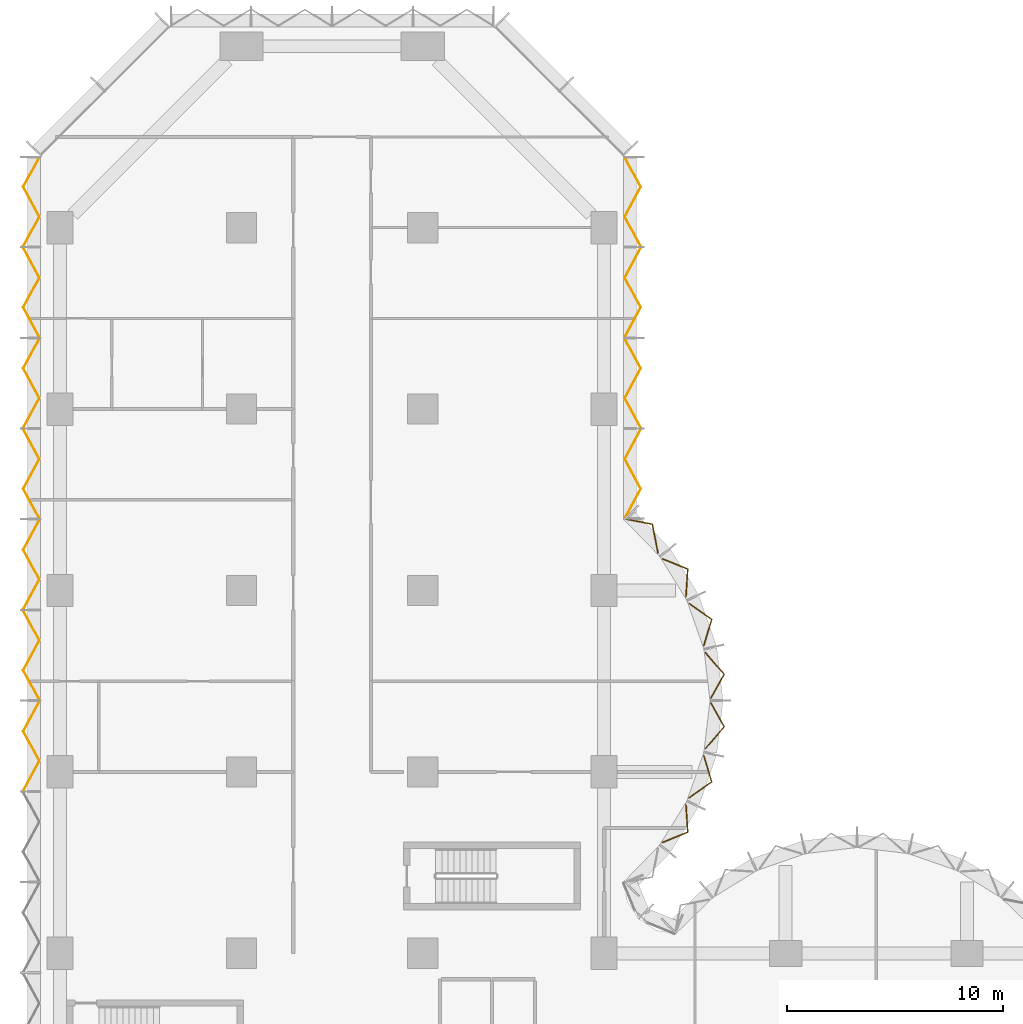
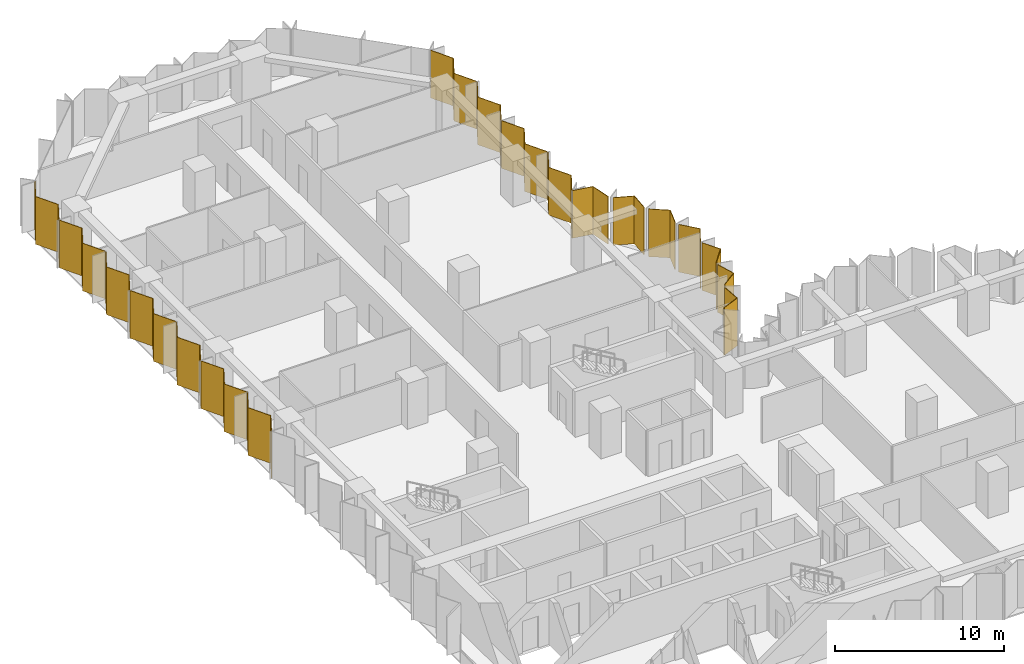
# One storey, part 15 of 15: 18 coverings, 3 elements without a shape of their own.
"""IFC4 building model written with IfcOpenShell, lengths in metres."""

import ifcopenshell
import ifcopenshell.guid

model = None  # the IFC model being written
_history = None  # IfcOwnerHistory: only IFC2X3 demands one
_inside = {}  # id of a spatial element -> (the spatial element, [elements in it])
_under = {}  # id of a project, library or spatial element -> (it, [spatial elements below it])
_declared = {}  # id of a project -> (the project, [libraries it declares])
_typed = {}  # id of a type object -> (the type object, [elements of that type])
_made_of = {}  # id of a material, layer set ... -> (it, [elements and type objects made of it])


def new_model(schema):
    """Start an empty IFC model of exactly this schema.

    Asked for "IFC4X3", IfcOpenShell would pick the latest addendum, in which some entities
    have other attributes; the version numbers below select the first issue.
    IFC2X3 requires an IfcOwnerHistory on every rooted entity: one is made here for all.
    """
    global model, _history
    if schema == "IFC4X3":
        model = ifcopenshell.file(schema_version=(4, 3, 0, 0))
    else:
        model = ifcopenshell.file(schema=schema)
    _inside.clear()
    _under.clear()
    _declared.clear()
    _typed.clear()
    _made_of.clear()
    _history = None
    if model.schema == "IFC2X3":
        org = make("IfcOrganization", Name="unknown")
        user = make(
            "IfcPersonAndOrganization",
            ThePerson=make("IfcPerson", FamilyName="unknown"),
            TheOrganization=org,
        )
        app = make(
            "IfcApplication",
            ApplicationDeveloper=org,
            Version="unknown",
            ApplicationFullName="unknown",
            ApplicationIdentifier="unknown",
        )
        _history = make(
            "IfcOwnerHistory",
            OwningUser=user,
            OwningApplication=app,
            ChangeAction="ADDED",
            CreationDate=0,
        )
    return model


def make(cls, **values):
    """One entity of the class cls with the attributes given. An attribute that is None is left unset."""
    return model.create_entity(
        cls, **{name: value for name, value in values.items() if value is not None}
    )


def rooted(cls, **values):
    """An entity with a GlobalId (a new one), such as an element, a storey or a relation."""
    return make(cls, GlobalId=ifcopenshell.guid.new(), OwnerHistory=_history, **values)


def si_unit(unit_type, name, prefix=None):
    """IfcSIUnit, for example si_unit("LENGTHUNIT", "METRE", prefix="MILLI")."""
    return make("IfcSIUnit", UnitType=unit_type, Prefix=prefix, Name=name)


def assignment(units):
    """IfcUnitAssignment: the units of a project."""
    return None if units is None else make("IfcUnitAssignment", Units=units)


def point(xyz):
    """IfcCartesianPoint."""
    return None if xyz is None else make("IfcCartesianPoint", Coordinates=xyz)


def direction(xyz):
    """IfcDirection."""
    return None if xyz is None else make("IfcDirection", DirectionRatios=xyz)


def frame(location, z_axis=None, x_axis=None):
    """IfcAxis2Placement3D, a coordinate frame: its origin and axes. An axis left out is left unset."""
    return make(
        "IfcAxis2Placement3D",
        Location=point(location),
        Axis=direction(z_axis),
        RefDirection=direction(x_axis),
    )


def origin():
    """The frame at (0, 0, 0) with its axes left unset."""
    return frame((0.0, 0.0, 0.0))


def place(relative_to, where):
    """IfcLocalPlacement: puts the frame where relative to a parent placement (None: the world)."""
    return make(
        "IfcLocalPlacement", PlacementRelTo=relative_to, RelativePlacement=where
    )


def context(
    kind, dimensions, precision=None, world=None, true_north=None, identifier=None
):
    """IfcGeometricRepresentationContext, for example the 3D "Model" context."""
    return make(
        "IfcGeometricRepresentationContext",
        ContextIdentifier=identifier,
        ContextType=kind,
        CoordinateSpaceDimension=dimensions,
        Precision=precision,
        WorldCoordinateSystem=world,
        TrueNorth=true_north,
    )


def subcontext(parent, identifier, kind, view, scale=None):
    """IfcGeometricRepresentationSubContext, for example "Body" below "Model"."""
    return make(
        "IfcGeometricRepresentationSubContext",
        ContextIdentifier=identifier,
        ContextType=kind,
        ParentContext=parent,
        TargetScale=scale,
        TargetView=view,
    )


def project(units=None, contexts=None):
    """IfcProject with its units and contexts."""
    return rooted(
        "IfcProject",
        Name="project",
        RepresentationContexts=contexts,
        UnitsInContext=assignment(units),
    )


def spatial(cls, under=None, at=None, **own):
    """A site, building, storey or space (cls), placed at a placement, below another one or the project."""
    s = rooted(cls, ObjectPlacement=at, **own)
    if under is not None:
        _under.setdefault(under.id(), (under, []))[1].append(s)
    return s


def polyline(points):
    """IfcPolyline through the points."""
    return make("IfcPolyline", Points=[point(p) for p in points])


def outline(outer, holes=None, kind="AREA"):
    """IfcArbitraryClosedProfileDef: a profile drawn as a closed curve; with holes, ...WithVoids."""
    if holes is None:
        return make("IfcArbitraryClosedProfileDef", ProfileType=kind, OuterCurve=outer)
    return make(
        "IfcArbitraryProfileDefWithVoids",
        ProfileType=kind,
        OuterCurve=outer,
        InnerCurves=holes,
    )


def extrude(swept, where, along, depth):
    """IfcExtrudedAreaSolid: the profile swept, set in the frame where, extruded along a direction by depth."""
    return make(
        "IfcExtrudedAreaSolid",
        SweptArea=swept,
        Position=where,
        ExtrudedDirection=direction(along),
        Depth=depth,
    )


def shape(context_of_items, identifier, shape_type, items):
    """IfcShapeRepresentation: the items that make up one representation, for example the "Body"."""
    return make(
        "IfcShapeRepresentation",
        ContextOfItems=context_of_items,
        RepresentationIdentifier=identifier,
        RepresentationType=shape_type,
        Items=items,
    )


def material(Name=None, Category=None):
    """IfcMaterial."""
    return make("IfcMaterial", Name=Name, Category=Category)


def layer(
    of_material, thickness, ventilated=None, Name=None, Category=None, Priority=None
):
    """IfcMaterialLayer: one layer of a wall or slab, of a material (None: an air gap)."""
    return make(
        "IfcMaterialLayer",
        Material=of_material,
        LayerThickness=thickness,
        IsVentilated=ventilated,
        Name=Name,
        Category=Category,
        Priority=Priority,
    )


def layer_set(layers, Name=None):
    """IfcMaterialLayerSet."""
    return make("IfcMaterialLayerSet", MaterialLayers=layers, LayerSetName=Name)


def made_of(thing, what):
    """Note that an element or type object is made of a material, layer set ...; save() writes the relation."""
    if what is not None:
        _made_of.setdefault(what.id(), (what, []))[1].append(thing)
    return thing


def type_object(cls, material=None, **own):
    """A type object (cls), such as IfcWallType, which elements share."""
    return made_of(rooted(cls, **own), material)


def element(
    cls,
    number,
    at=None,
    inside=None,
    cuts=None,
    type_object=None,
    material=None,
    context=None,
    identifier="Body",
    shape_type=None,
    held_by="IfcProductDefinitionShape",
    body=None,
    shapes=None,
    **own,
):
    """One element of the class cls, such as IfcWall. Its Tag is "e" and its number.

    at: its placement. inside: the storey or other place that contains it. cuts: it is an
    opening in that element (IfcRelVoidsElement). A single representation is given by context,
    identifier, shape_type and body (its items); several are given by shapes. held_by: the class
    of the entity that holds the representations. save() writes the other relations.
    """
    e = rooted(cls, Tag="e%d" % number, ObjectPlacement=at, **own)
    if body is not None:
        shapes = [shape(context, identifier, shape_type, body)]
    if shapes is not None:
        e.Representation = make(held_by, Representations=shapes)
    if inside is not None:
        _inside.setdefault(inside.id(), (inside, []))[1].append(e)
    if cuts is not None:
        rooted(
            "IfcRelVoidsElement", RelatingBuildingElement=cuts, RelatedOpeningElement=e
        )
    if type_object is not None:
        _typed.setdefault(type_object.id(), (type_object, []))[1].append(e)
    return made_of(e, material)


def aggregate(whole, parts):
    """IfcRelAggregates: a whole, such as a stair, and the parts it consists of."""
    return rooted("IfcRelAggregates", RelatingObject=whole, RelatedObjects=parts)


def save(model, path):
    """Write the relations noted so far, then the file.

    IfcRelAggregates (storeys below a building ...), IfcRelContainedInSpatialStructure (elements
    in a storey), IfcRelDefinesByType, IfcRelAssociatesMaterial and IfcRelDeclares: one each for
    every whole, place, type object, material and project.
    """
    for whole, parts in _under.values():
        aggregate(whole, parts)
    for where, things in _inside.values():
        rooted(
            "IfcRelContainedInSpatialStructure",
            RelatedElements=things,
            RelatingStructure=where,
        )
    for kind, things in _typed.values():
        rooted("IfcRelDefinesByType", RelatedObjects=things, RelatingType=kind)
    for what, things in _made_of.values():
        rooted("IfcRelAssociatesMaterial", RelatedObjects=things, RelatingMaterial=what)
    for by, libraries in _declared.values():
        rooted("IfcRelDeclares", RelatingContext=by, RelatedDefinitions=libraries)
    model.write(path)


model = new_model("IFC4")

# Units and contexts
model_context = context("Model", 3, precision=1e-05, world=origin(), true_north=direction((0.0, 1.0)))
body_context = subcontext(model_context, "Body", "Model", "MODEL_VIEW")
ifc_project = project(units=[si_unit("LENGTHUNIT", "METRE"), si_unit("AREAUNIT", "SQUARE_METRE"), si_unit("VOLUMEUNIT", "CUBIC_METRE"), si_unit("PLANEANGLEUNIT", "RADIAN"), si_unit("MASSUNIT", "GRAM", prefix="KILO")], contexts=[model_context])

# Site, building, storey
site_placement = place(None, origin())
site = spatial("IfcSite", under=ifc_project, at=site_placement, CompositionType="ELEMENT")
building_placement = place(site_placement, origin())
building = spatial("IfcBuilding", under=site, at=building_placement, Name="Brevane Broadcast Tower", CompositionType="ELEMENT")
storey_placement = place(building_placement, frame((0.0, 0.0, 83.300048828125)))
storey = spatial("IfcBuildingStorey", under=building, at=storey_placement, Name="L19", CompositionType="ELEMENT", Elevation=83.300048828125)

# Curtain wall, coverings
ifc_material_1 = material(Name="Aluminium 6063-T6 bronze anodised", Category="aluminium")
curtain_wall_type = type_object("IfcCurtainWallType", Name="CW-1 curtain wall", PredefinedType="NOTDEFINED", material=ifc_material_1)
curtain_wall_1_placement = place(storey_placement, origin())
curtain_wall_1 = element("IfcCurtainWall", 1, at=curtain_wall_1_placement, inside=storey, type_object=curtain_wall_type, Name="CW-1 typical tilted unit L19 north bow", PredefinedType="NOTDEFINED")
ifc_material_2 = material(Name="Back-painted bronze glass shadow-box", Category="glass")
ifc_layer = layer(ifc_material_2, 0.0400390625)
ifc_layer_set = layer_set([ifc_layer], Name="Shadow-box panel 40")
covering_type = type_object("IfcCoveringType", Name="Shadow-box panel 40", PredefinedType="CLADDING", material=ifc_layer_set)
covering_1_placement = place(storey_placement, frame((0.0, 0.0, -0.150146484375)))
covering_1 = element("IfcCovering", 2, at=covering_1_placement, type_object=covering_type, Name="Shadow-box panel", PredefinedType="CLADDING", context=body_context, shape_type="SweptSolid", body=[
    extrude(outline(polyline([(27.8759765625, 30.343017578125), (27.912109375, 30.314697265625), (29.089111328125, 30.7958984375), (29.006591796875, 32.08935546875), (28.96533203125, 32.10888671875), (29.04736328125, 30.822265625), (27.8759765625, 30.343017578125)])), origin(), (0.0, 0.0, 1.0), 3.4501953125),
])
covering_2_placement = place(storey_placement, frame((0.0, 0.0, -0.150146484375)))
covering_2 = element("IfcCovering", 3, at=covering_2_placement, type_object=covering_type, Name="Shadow-box panel", PredefinedType="CLADDING", context=body_context, shape_type="SweptSolid", body=[
    extrude(outline(polyline([(29.104248046875, 32.400634765625), (29.1455078125, 32.381103515625), (30.20166015625, 33.132080078125), (29.83349609375, 34.349365234375), (29.78857421875, 34.359619140625), (30.155029296875, 33.148193359375), (29.104248046875, 32.400634765625)])), origin(), (0.0, 0.0, 1.0), 3.4501953125),
])
covering_3_placement = place(storey_placement, frame((0.0, 0.0, -0.150146484375)))
covering_3 = element("IfcCovering", 4, at=covering_3_placement, type_object=covering_type, Name="Shadow-box panel", PredefinedType="CLADDING", context=body_context, shape_type="SweptSolid", body=[
    extrude(outline(polyline([(29.859619140625, 34.6748046875), (29.903564453125, 34.664794921875), (30.779296875, 35.68310546875), (30.15869140625, 36.7919921875), (30.11279296875, 36.7919921875), (30.730712890625, 35.68798828125), (29.859619140625, 34.6748046875)])), origin(), (0.0, 0.0, 1.0), 3.4501953125),
])
covering_4_placement = place(storey_placement, frame((0.0, 0.0, -0.150146484375)))
covering_4 = element("IfcCovering", 5, at=covering_4_placement, type_object=covering_type, Name="Shadow-box panel", PredefinedType="CLADDING", context=body_context, shape_type="SweptSolid", body=[
    extrude(outline(polyline([(30.11279296875, 37.008056640625), (30.15869140625, 37.008056640625), (30.779296875, 38.116943359375), (29.903564453125, 39.13525390625), (29.859619140625, 39.125), (30.730712890625, 38.112060546875), (30.11279296875, 37.008056640625)])), origin(), (0.0, 0.0, 1.0), 3.4501953125),
])
covering_5_placement = place(storey_placement, frame((0.0, 0.0, -0.150146484375)))
covering_5 = element("IfcCovering", 6, at=covering_5_placement, type_object=covering_type, Name="Shadow-box panel", PredefinedType="CLADDING", context=body_context, shape_type="SweptSolid", body=[
    extrude(outline(polyline([(29.78857421875, 39.440185546875), (29.83349609375, 39.45068359375), (30.20166015625, 40.667724609375), (29.1455078125, 41.4189453125), (29.104248046875, 41.3994140625), (30.155029296875, 40.65185546875), (29.78857421875, 39.440185546875)])), origin(), (0.0, 0.0, 1.0), 3.4501953125),
])
covering_6_placement = place(storey_placement, frame((0.0, 0.0, -0.150146484375)))
covering_6 = element("IfcCovering", 7, at=covering_6_placement, type_object=covering_type, Name="Shadow-box panel", PredefinedType="CLADDING", context=body_context, shape_type="SweptSolid", body=[
    extrude(outline(polyline([(28.96533203125, 41.69091796875), (29.006591796875, 41.710693359375), (29.089111328125, 43.00390625), (27.912109375, 43.4853515625), (27.8759765625, 43.45703125), (29.04736328125, 42.977783203125), (28.96533203125, 41.69091796875)])), origin(), (0.0, 0.0, 1.0), 3.4501953125),
])
covering_7_placement = place(storey_placement, frame((0.0, 0.0, -0.150146484375)))
covering_7 = element("IfcCovering", 8, at=covering_7_placement, type_object=covering_type, Name="Shadow-box panel", PredefinedType="CLADDING", context=body_context, shape_type="SweptSolid", body=[
    extrude(outline(polyline([(27.67626953125, 43.7109375), (27.71142578125, 43.738525390625), (27.447265625, 45.086181640625), (26.17919921875, 45.327880859375), (26.14404296875, 45.2939453125), (27.4130859375, 45.052001953125), (27.67626953125, 43.7109375)])), origin(), (0.0, 0.0, 1.0), 3.4501953125),
])
aggregate(curtain_wall_1, [covering_1, covering_2, covering_3, covering_4, covering_5, covering_6, covering_7])

curtain_wall_2_placement = place(storey_placement, origin())
curtain_wall_2 = element("IfcCurtainWall", 9, at=curtain_wall_2_placement, inside=storey, type_object=curtain_wall_type, Name="CW-1 typical tilted unit L19 north arm east face", PredefinedType="NOTDEFINED")
covering_8_placement = place(storey_placement, frame((0.0, 0.0, -0.150146484375)))
covering_8 = element("IfcCovering", 10, at=covering_8_placement, type_object=covering_type, Name="Shadow-box panel", PredefinedType="CLADDING", context=body_context, shape_type="SweptSolid", body=[
    extrude(outline(polyline([(26.127197265625, 45.3349609375), (26.172607421875, 45.3349609375), (26.9169921875, 46.711669921875), (26.172607421875, 48.08837890625), (26.9169921875, 49.465087890625), (26.87158203125, 49.465087890625), (26.127197265625, 48.08837890625), (26.87158203125, 46.711669921875), (26.127197265625, 45.3349609375)])), origin(), (0.0, 0.0, 1.0), 3.4501953125),
])
covering_9_placement = place(storey_placement, frame((0.0, 0.0, -0.150146484375)))
covering_9 = element("IfcCovering", 11, at=covering_9_placement, type_object=covering_type, Name="Shadow-box panel", PredefinedType="CLADDING", context=body_context, shape_type="SweptSolid", body=[
    extrude(outline(polyline([(26.87158203125, 49.534912109375), (26.9169921875, 49.534912109375), (26.172607421875, 50.91162109375), (26.9169921875, 52.288330078125), (26.172607421875, 53.6650390625), (26.127197265625, 53.6650390625), (26.87158203125, 52.288330078125), (26.127197265625, 50.91162109375), (26.87158203125, 49.534912109375)])), origin(), (0.0, 0.0, 1.0), 3.4501953125),
])
covering_10_placement = place(storey_placement, frame((0.0, 0.0, -0.150146484375)))
covering_10 = element("IfcCovering", 12, at=covering_10_placement, type_object=covering_type, Name="Shadow-box panel", PredefinedType="CLADDING", context=body_context, shape_type="SweptSolid", body=[
    extrude(outline(polyline([(26.127197265625, 53.735107421875), (26.172607421875, 53.735107421875), (26.9169921875, 55.11181640625), (26.172607421875, 56.48828125), (26.9169921875, 57.864990234375), (26.87158203125, 57.864990234375), (26.127197265625, 56.48828125), (26.87158203125, 55.11181640625), (26.127197265625, 53.735107421875)])), origin(), (0.0, 0.0, 1.0), 3.4501953125),
])
covering_11_placement = place(storey_placement, frame((0.0, 0.0, -0.150146484375)))
covering_11 = element("IfcCovering", 13, at=covering_11_placement, type_object=covering_type, Name="Shadow-box panel", PredefinedType="CLADDING", context=body_context, shape_type="SweptSolid", body=[
    extrude(outline(polyline([(26.87158203125, 57.93505859375), (26.9169921875, 57.93505859375), (26.172607421875, 59.311767578125), (26.9169921875, 60.688232421875), (26.172607421875, 62.06494140625), (26.127197265625, 62.06494140625), (26.87158203125, 60.688232421875), (26.127197265625, 59.311767578125), (26.87158203125, 57.93505859375)])), origin(), (0.0, 0.0, 1.0), 3.4501953125),
])
aggregate(curtain_wall_2, [covering_8, covering_9, covering_10, covering_11])

curtain_wall_3_placement = place(storey_placement, origin())
curtain_wall_3 = element("IfcCurtainWall", 14, at=curtain_wall_3_placement, inside=storey, type_object=curtain_wall_type, Name="CW-1 typical tilted unit L19 west face", PredefinedType="NOTDEFINED")
covering_12_placement = place(storey_placement, frame((0.0, 0.0, -0.150146484375)))
covering_12 = element("IfcCovering", 15, at=covering_12_placement, type_object=covering_type, Name="Shadow-box panel", PredefinedType="CLADDING", context=body_context, shape_type="SweptSolid", body=[
    extrude(outline(polyline([(-0.92724609375, 62.06494140625), (-0.97265625, 62.06494140625), (-1.717041015625, 60.688232421875), (-0.97265625, 59.311767578125), (-1.717041015625, 57.93505859375), (-1.671630859375, 57.93505859375), (-0.92724609375, 59.311767578125), (-1.671630859375, 60.688232421875), (-0.92724609375, 62.06494140625)])), origin(), (0.0, 0.0, 1.0), 3.4501953125),
])
covering_13_placement = place(storey_placement, frame((0.0, 0.0, -0.150146484375)))
covering_13 = element("IfcCovering", 16, at=covering_13_placement, type_object=covering_type, Name="Shadow-box panel", PredefinedType="CLADDING", context=body_context, shape_type="SweptSolid", body=[
    extrude(outline(polyline([(-1.671630859375, 57.864990234375), (-1.717041015625, 57.864990234375), (-0.97265625, 56.48828125), (-1.717041015625, 55.11181640625), (-0.97265625, 53.735107421875), (-0.92724609375, 53.735107421875), (-1.671630859375, 55.11181640625), (-0.92724609375, 56.48828125), (-1.671630859375, 57.864990234375)])), origin(), (0.0, 0.0, 1.0), 3.4501953125),
])
covering_14_placement = place(storey_placement, frame((0.0, 0.0, -0.150146484375)))
covering_14 = element("IfcCovering", 17, at=covering_14_placement, type_object=covering_type, Name="Shadow-box panel", PredefinedType="CLADDING", context=body_context, shape_type="SweptSolid", body=[
    extrude(outline(polyline([(-0.92724609375, 53.6650390625), (-0.97265625, 53.6650390625), (-1.717041015625, 52.288330078125), (-0.97265625, 50.91162109375), (-1.717041015625, 49.534912109375), (-1.671630859375, 49.534912109375), (-0.92724609375, 50.91162109375), (-1.671630859375, 52.288330078125), (-0.92724609375, 53.6650390625)])), origin(), (0.0, 0.0, 1.0), 3.4501953125),
])
covering_15_placement = place(storey_placement, frame((0.0, 0.0, -0.150146484375)))
covering_15 = element("IfcCovering", 18, at=covering_15_placement, type_object=covering_type, Name="Shadow-box panel", PredefinedType="CLADDING", context=body_context, shape_type="SweptSolid", body=[
    extrude(outline(polyline([(-1.671630859375, 49.465087890625), (-1.717041015625, 49.465087890625), (-0.97265625, 48.08837890625), (-1.717041015625, 46.711669921875), (-0.97265625, 45.3349609375), (-0.92724609375, 45.3349609375), (-1.671630859375, 46.711669921875), (-0.92724609375, 48.08837890625), (-1.671630859375, 49.465087890625)])), origin(), (0.0, 0.0, 1.0), 3.4501953125),
])
covering_16_placement = place(storey_placement, frame((0.0, 0.0, -0.150146484375)))
covering_16 = element("IfcCovering", 19, at=covering_16_placement, type_object=covering_type, Name="Shadow-box panel", PredefinedType="CLADDING", context=body_context, shape_type="SweptSolid", body=[
    extrude(outline(polyline([(-0.92724609375, 45.264892578125), (-0.97265625, 45.264892578125), (-1.717041015625, 43.88818359375), (-0.97265625, 42.51171875), (-1.717041015625, 41.135009765625), (-1.671630859375, 41.135009765625), (-0.92724609375, 42.51171875), (-1.671630859375, 43.88818359375), (-0.92724609375, 45.264892578125)])), origin(), (0.0, 0.0, 1.0), 3.4501953125),
])
covering_17_placement = place(storey_placement, frame((0.0, 0.0, -0.150146484375)))
covering_17 = element("IfcCovering", 20, at=covering_17_placement, type_object=covering_type, Name="Shadow-box panel", PredefinedType="CLADDING", context=body_context, shape_type="SweptSolid", body=[
    extrude(outline(polyline([(-1.671630859375, 41.06494140625), (-1.717041015625, 41.06494140625), (-0.97265625, 39.688232421875), (-1.717041015625, 38.311767578125), (-0.97265625, 36.93505859375), (-0.92724609375, 36.93505859375), (-1.671630859375, 38.311767578125), (-0.92724609375, 39.688232421875), (-1.671630859375, 41.06494140625)])), origin(), (0.0, 0.0, 1.0), 3.4501953125),
])
covering_18_placement = place(storey_placement, frame((0.0, 0.0, -0.150146484375)))
covering_18 = element("IfcCovering", 21, at=covering_18_placement, type_object=covering_type, Name="Shadow-box panel", PredefinedType="CLADDING", context=body_context, shape_type="SweptSolid", body=[
    extrude(outline(polyline([(-0.92724609375, 36.864990234375), (-0.97265625, 36.864990234375), (-1.717041015625, 35.48828125), (-0.97265625, 34.11181640625), (-1.717041015625, 32.735107421875), (-1.671630859375, 32.735107421875), (-0.92724609375, 34.11181640625), (-1.671630859375, 35.48828125), (-0.92724609375, 36.864990234375)])), origin(), (0.0, 0.0, 1.0), 3.4501953125),
])
aggregate(curtain_wall_3, [covering_12, covering_13, covering_14, covering_15, covering_16, covering_17, covering_18])

save(model, "model.ifc")
